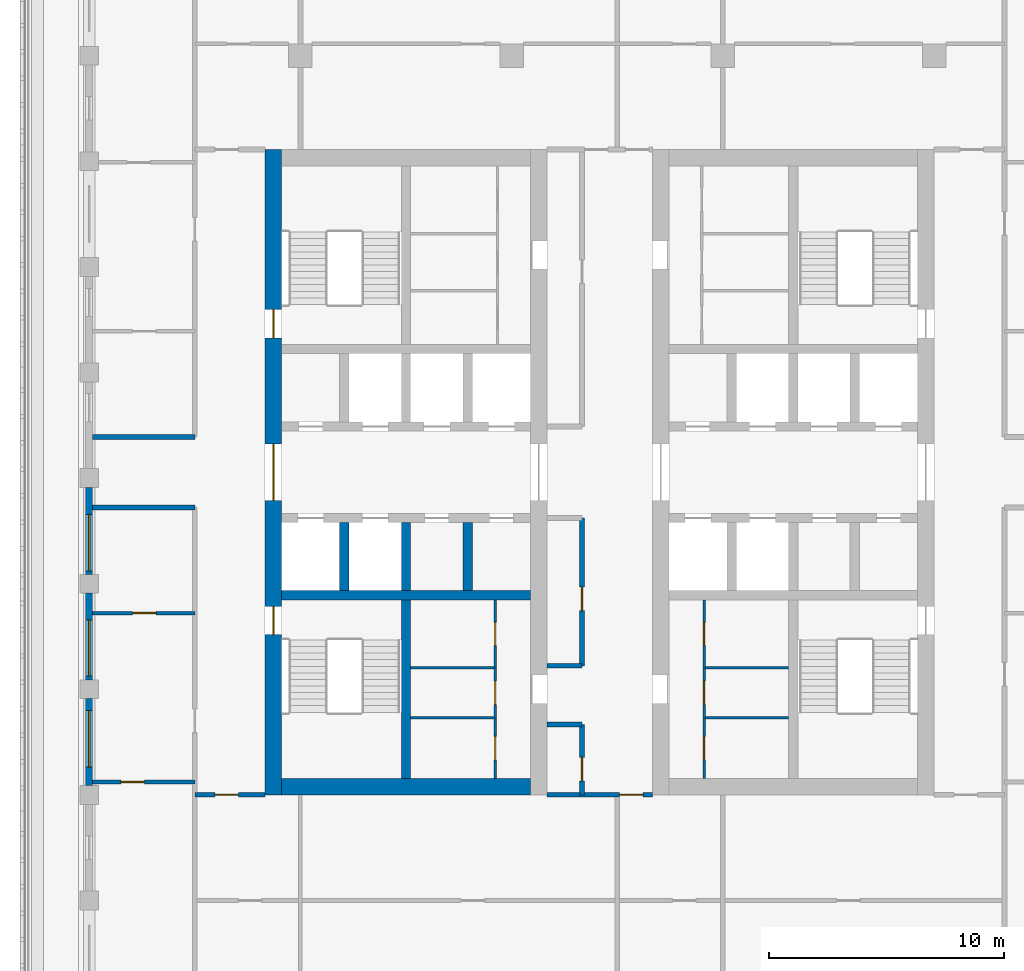
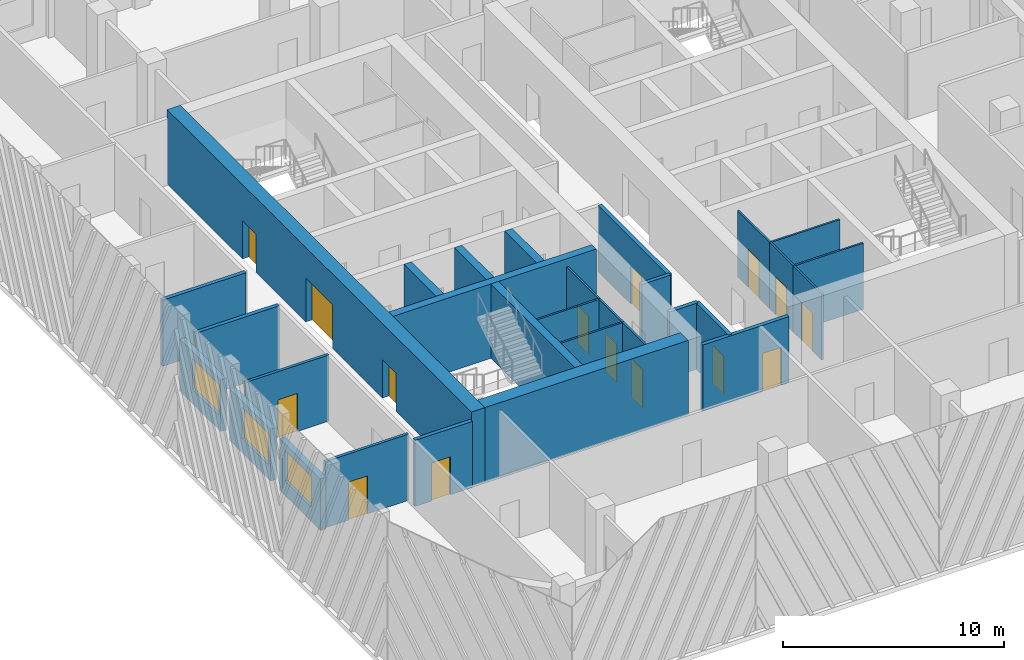
# One storey, part 3 of 17: 30 walls, 15 doors, 3 windows, 18 openings.
"""IFC4 building model written with IfcOpenShell, lengths in metres."""

import ifcopenshell
import ifcopenshell.guid

model = None  # the IFC model being written
_history = None  # IfcOwnerHistory: only IFC2X3 demands one
_inside = {}  # id of a spatial element -> (the spatial element, [elements in it])
_under = {}  # id of a project, library or spatial element -> (it, [spatial elements below it])
_declared = {}  # id of a project -> (the project, [libraries it declares])
_typed = {}  # id of a type object -> (the type object, [elements of that type])
_made_of = {}  # id of a material, layer set ... -> (it, [elements and type objects made of it])


def new_model(schema):
    """Start an empty IFC model of exactly this schema.

    Asked for "IFC4X3", IfcOpenShell would pick the latest addendum, in which some entities
    have other attributes; the version numbers below select the first issue.
    IFC2X3 requires an IfcOwnerHistory on every rooted entity: one is made here for all.
    """
    global model, _history
    if schema == "IFC4X3":
        model = ifcopenshell.file(schema_version=(4, 3, 0, 0))
    else:
        model = ifcopenshell.file(schema=schema)
    _inside.clear()
    _under.clear()
    _declared.clear()
    _typed.clear()
    _made_of.clear()
    _history = None
    if model.schema == "IFC2X3":
        org = make("IfcOrganization", Name="unknown")
        user = make(
            "IfcPersonAndOrganization",
            ThePerson=make("IfcPerson", FamilyName="unknown"),
            TheOrganization=org,
        )
        app = make(
            "IfcApplication",
            ApplicationDeveloper=org,
            Version="unknown",
            ApplicationFullName="unknown",
            ApplicationIdentifier="unknown",
        )
        _history = make(
            "IfcOwnerHistory",
            OwningUser=user,
            OwningApplication=app,
            ChangeAction="ADDED",
            CreationDate=0,
        )
    return model


def make(cls, **values):
    """One entity of the class cls with the attributes given. An attribute that is None is left unset."""
    return model.create_entity(
        cls, **{name: value for name, value in values.items() if value is not None}
    )


def rooted(cls, **values):
    """An entity with a GlobalId (a new one), such as an element, a storey or a relation."""
    return make(cls, GlobalId=ifcopenshell.guid.new(), OwnerHistory=_history, **values)


def si_unit(unit_type, name, prefix=None):
    """IfcSIUnit, for example si_unit("LENGTHUNIT", "METRE", prefix="MILLI")."""
    return make("IfcSIUnit", UnitType=unit_type, Prefix=prefix, Name=name)


def assignment(units):
    """IfcUnitAssignment: the units of a project."""
    return None if units is None else make("IfcUnitAssignment", Units=units)


def point(xyz):
    """IfcCartesianPoint."""
    return None if xyz is None else make("IfcCartesianPoint", Coordinates=xyz)


def direction(xyz):
    """IfcDirection."""
    return None if xyz is None else make("IfcDirection", DirectionRatios=xyz)


def frame(location, z_axis=None, x_axis=None):
    """IfcAxis2Placement3D, a coordinate frame: its origin and axes. An axis left out is left unset."""
    return make(
        "IfcAxis2Placement3D",
        Location=point(location),
        Axis=direction(z_axis),
        RefDirection=direction(x_axis),
    )


def frame_2d(location, x_axis=None):
    """IfcAxis2Placement2D, a coordinate frame in the plane: its origin and x axis."""
    return make(
        "IfcAxis2Placement2D", Location=point(location), RefDirection=direction(x_axis)
    )


def origin():
    """The frame at (0, 0, 0) with its axes left unset."""
    return frame((0.0, 0.0, 0.0))


def place(relative_to, where):
    """IfcLocalPlacement: puts the frame where relative to a parent placement (None: the world)."""
    return make(
        "IfcLocalPlacement", PlacementRelTo=relative_to, RelativePlacement=where
    )


def context(
    kind, dimensions, precision=None, world=None, true_north=None, identifier=None
):
    """IfcGeometricRepresentationContext, for example the 3D "Model" context."""
    return make(
        "IfcGeometricRepresentationContext",
        ContextIdentifier=identifier,
        ContextType=kind,
        CoordinateSpaceDimension=dimensions,
        Precision=precision,
        WorldCoordinateSystem=world,
        TrueNorth=true_north,
    )


def subcontext(parent, identifier, kind, view, scale=None):
    """IfcGeometricRepresentationSubContext, for example "Body" below "Model"."""
    return make(
        "IfcGeometricRepresentationSubContext",
        ContextIdentifier=identifier,
        ContextType=kind,
        ParentContext=parent,
        TargetScale=scale,
        TargetView=view,
    )


def project(units=None, contexts=None):
    """IfcProject with its units and contexts."""
    return rooted(
        "IfcProject",
        Name="project",
        RepresentationContexts=contexts,
        UnitsInContext=assignment(units),
    )


def spatial(cls, under=None, at=None, **own):
    """A site, building, storey or space (cls), placed at a placement, below another one or the project."""
    s = rooted(cls, ObjectPlacement=at, **own)
    if under is not None:
        _under.setdefault(under.id(), (under, []))[1].append(s)
    return s


def profile(cls, at=None, kind="AREA", **sizes):
    """A parametric profile (cls). Its sizes go by their IFC names, for example OverallWidth=200.0."""
    return make(cls, ProfileType=kind, Position=at, **sizes)


def rectangle(**sizes):
    """IfcRectangleProfileDef."""
    return profile("IfcRectangleProfileDef", **sizes)


def extrude(swept, where, along, depth):
    """IfcExtrudedAreaSolid: the profile swept, set in the frame where, extruded along a direction by depth."""
    return make(
        "IfcExtrudedAreaSolid",
        SweptArea=swept,
        Position=where,
        ExtrudedDirection=direction(along),
        Depth=depth,
    )


def shape(context_of_items, identifier, shape_type, items):
    """IfcShapeRepresentation: the items that make up one representation, for example the "Body"."""
    return make(
        "IfcShapeRepresentation",
        ContextOfItems=context_of_items,
        RepresentationIdentifier=identifier,
        RepresentationType=shape_type,
        Items=items,
    )


def material(Name=None, Category=None):
    """IfcMaterial."""
    return make("IfcMaterial", Name=Name, Category=Category)


def layer(
    of_material, thickness, ventilated=None, Name=None, Category=None, Priority=None
):
    """IfcMaterialLayer: one layer of a wall or slab, of a material (None: an air gap)."""
    return make(
        "IfcMaterialLayer",
        Material=of_material,
        LayerThickness=thickness,
        IsVentilated=ventilated,
        Name=Name,
        Category=Category,
        Priority=Priority,
    )


def layer_set(layers, Name=None):
    """IfcMaterialLayerSet."""
    return make("IfcMaterialLayerSet", MaterialLayers=layers, LayerSetName=Name)


def made_of(thing, what):
    """Note that an element or type object is made of a material, layer set ...; save() writes the relation."""
    if what is not None:
        _made_of.setdefault(what.id(), (what, []))[1].append(thing)
    return thing


def type_object(cls, material=None, **own):
    """A type object (cls), such as IfcWallType, which elements share."""
    return made_of(rooted(cls, **own), material)


def element(
    cls,
    number,
    at=None,
    inside=None,
    cuts=None,
    type_object=None,
    material=None,
    context=None,
    identifier="Body",
    shape_type=None,
    held_by="IfcProductDefinitionShape",
    body=None,
    shapes=None,
    **own,
):
    """One element of the class cls, such as IfcWall. Its Tag is "e" and its number.

    at: its placement. inside: the storey or other place that contains it. cuts: it is an
    opening in that element (IfcRelVoidsElement). A single representation is given by context,
    identifier, shape_type and body (its items); several are given by shapes. held_by: the class
    of the entity that holds the representations. save() writes the other relations.
    """
    e = rooted(cls, Tag="e%d" % number, ObjectPlacement=at, **own)
    if body is not None:
        shapes = [shape(context, identifier, shape_type, body)]
    if shapes is not None:
        e.Representation = make(held_by, Representations=shapes)
    if inside is not None:
        _inside.setdefault(inside.id(), (inside, []))[1].append(e)
    if cuts is not None:
        rooted(
            "IfcRelVoidsElement", RelatingBuildingElement=cuts, RelatedOpeningElement=e
        )
    if type_object is not None:
        _typed.setdefault(type_object.id(), (type_object, []))[1].append(e)
    return made_of(e, material)


def fill(opening, filler):
    """IfcRelFillsElement: the door or window that sits in an opening."""
    return rooted(
        "IfcRelFillsElement",
        RelatingOpeningElement=opening,
        RelatedBuildingElement=filler,
    )


def aggregate(whole, parts):
    """IfcRelAggregates: a whole, such as a stair, and the parts it consists of."""
    return rooted("IfcRelAggregates", RelatingObject=whole, RelatedObjects=parts)


def save(model, path):
    """Write the relations noted so far, then the file.

    IfcRelAggregates (storeys below a building ...), IfcRelContainedInSpatialStructure (elements
    in a storey), IfcRelDefinesByType, IfcRelAssociatesMaterial and IfcRelDeclares: one each for
    every whole, place, type object, material and project.
    """
    for whole, parts in _under.values():
        aggregate(whole, parts)
    for where, things in _inside.values():
        rooted(
            "IfcRelContainedInSpatialStructure",
            RelatedElements=things,
            RelatingStructure=where,
        )
    for kind, things in _typed.values():
        rooted("IfcRelDefinesByType", RelatedObjects=things, RelatingType=kind)
    for what, things in _made_of.values():
        rooted("IfcRelAssociatesMaterial", RelatedObjects=things, RelatingMaterial=what)
    for by, libraries in _declared.values():
        rooted("IfcRelDeclares", RelatingContext=by, RelatedDefinitions=libraries)
    model.write(path)


model = new_model("IFC4")

# Units and contexts
model_context = context("Model", 3, precision=1e-05, world=origin(), true_north=direction((0.0, 1.0)))
body_context = subcontext(model_context, "Body", "Model", "MODEL_VIEW")
ifc_project = project(units=[si_unit("LENGTHUNIT", "METRE"), si_unit("AREAUNIT", "SQUARE_METRE"), si_unit("VOLUMEUNIT", "CUBIC_METRE"), si_unit("PLANEANGLEUNIT", "RADIAN"), si_unit("MASSUNIT", "GRAM", prefix="KILO")], contexts=[model_context])

# Site, building, storey
site_placement = place(None, origin())
site = spatial("IfcSite", under=ifc_project, at=site_placement, CompositionType="ELEMENT")
building_placement = place(site_placement, origin())
building = spatial("IfcBuilding", under=site, at=building_placement, Name="Corbel Stack Research Tower", CompositionType="ELEMENT")
storey_placement = place(building_placement, frame((0.0, 0.0, 248.0)))
storey = spatial("IfcBuildingStorey", under=building, at=storey_placement, Name="L56", CompositionType="ELEMENT", Elevation=248.0)

# Walls
ifc_material_1 = material(Name="Concrete C60/75", Category="concrete")
ifc_layer_1 = layer(ifc_material_1, 0.39990234375)
ifc_layer_set_1 = layer_set([ifc_layer_1], Name="Concrete C60/75")
wall_type_1 = type_object("IfcWallType", Name="CW-400-60", PredefinedType="SHEAR", material=ifc_layer_set_1)
wall_1_placement = place(storey_placement, frame((-9.800048828125, -0.5, 0.0), z_axis=(0.0, 0.0, 1.0), x_axis=(1.0, 0.0, 0.0)))
element("IfcWall", 1, at=wall_1_placement, inside=storey, type_object=wall_type_1, Name="West core wall, south row back L56", PredefinedType="SHEAR", context=body_context, shape_type="SweptSolid", body=[
    extrude(rectangle(XDim=10.60009765625, YDim=0.39990234375, at=frame_2d((5.300048828125, 0.0))), origin(), (0.0, 0.0, 1.0), 4.10009765625),
])
for number, where, z_axis, x_axis, name in (
    (2, (-7.125, -0.300048828125, 0.0), (0.0, 0.0, 1.0), (0.0, 1.0, 0.0), "West core wall, south shaft 1 L56"),
    (3, (-4.5, -0.300048828125, 0.0), (0.0, 0.0, 1.0), (0.0, 1.0, 0.0), "West core wall, south shaft 2 L56"),
    (4, (-1.875, -0.300048828125, 0.0), (0.0, 0.0, 1.0), (0.0, 1.0, 0.0), "West core wall, south shaft 3 L56"),
):
    element("IfcWall", number, at=place(storey_placement, frame(where, z_axis=z_axis, x_axis=x_axis)), inside=storey, type_object=wall_type_1, Name=name, PredefinedType="SHEAR", context=body_context, shape_type="SweptSolid", body=[
        extrude(rectangle(XDim=2.900146484375, YDim=0.39990234375, at=frame_2d((1.4501953125, 0.0))), origin(), (0.0, 0.0, 1.0), 4.10009765625),
    ])
wall_2_placement = place(storey_placement, frame((-4.5, -8.300048828125, 0.0), z_axis=(0.0, 0.0, 1.0), x_axis=(0.0, 1.0, 0.0)))
element("IfcWall", 5, at=wall_2_placement, inside=storey, type_object=wall_type_1, Name="West core wall, south stair and WC L56", PredefinedType="SHEAR", context=body_context, shape_type="SweptSolid", body=[
    extrude(rectangle(XDim=7.60009765625, YDim=0.39990234375, at=frame_2d((3.800048828125, 0.0))), origin(), (0.0, 0.0, 1.0), 4.10009765625),
])

# Wall, openings, doors
ifc_material_2 = material(Name="Concrete C60/75", Category="concrete")
ifc_layer_2 = layer(ifc_material_2, 0.699951171875)
ifc_layer_set_2 = layer_set([ifc_layer_2], Name="Concrete C60/75")
wall_type_2 = type_object("IfcWallType", Name="CW-700-60", PredefinedType="SHEAR", material=ifc_layer_set_2)
wall_3_placement = place(storey_placement, frame((-10.14990234375, -9.0, 0.0), z_axis=(0.0, 0.0, 1.0), x_axis=(0.0, 1.0, 0.0)))
wall_3 = element("IfcWall", 6, at=wall_3_placement, inside=storey, type_object=wall_type_2, Name="West core wall, west face L56", PredefinedType="SHEAR", context=body_context, shape_type="SweptSolid", body=[
    extrude(rectangle(XDim=27.5, YDim=0.699951171875, at=frame_2d((13.75, 0.0))), origin(), (0.0, 0.0, 1.0), 4.10009765625),
])
opening_1_placement = place(wall_3_placement, frame((12.550048828125, 0.0, 0.0)))
opening_1 = element("IfcOpeningElement", 7, at=opening_1_placement, cuts=wall_3, Name="Opening CD-W-W", PredefinedType="OPENING", context=body_context, shape_type="SweptSolid", body=[
    extrude(rectangle(XDim=2.39990234375, YDim=2.39990234375, at=frame_2d((1.199951171875, 1.199951171875))), frame((0.0, 0.35986328125, 0.0), z_axis=(0.0, -1.0, 0.0), x_axis=(1.0, 0.0, 0.0)), (0.0, 0.0, 1.0), 0.719970703125),
])
opening_2_placement = place(wall_3_placement, frame((6.824951171875, 0.0, 0.0)))
opening_2 = element("IfcOpeningElement", 8, at=opening_2_placement, cuts=wall_3, Name="Opening SD-ST-W1", PredefinedType="OPENING", context=body_context, shape_type="SweptSolid", body=[
    extrude(rectangle(XDim=1.199951171875, YDim=2.10009765625, at=frame_2d((0.60009765625, 1.050048828125))), frame((0.0, 0.35986328125, 0.0), z_axis=(0.0, -1.0, 0.0), x_axis=(1.0, 0.0, 0.0)), (0.0, 0.0, 1.0), 0.719970703125),
])
opening_3_placement = place(wall_3_placement, frame((19.47509765625, 0.0, 0.0)))
opening_3 = element("IfcOpeningElement", 9, at=opening_3_placement, cuts=wall_3, Name="Opening SD-ST-W2", PredefinedType="OPENING", context=body_context, shape_type="SweptSolid", body=[
    extrude(rectangle(XDim=1.199951171875, YDim=2.10009765625, at=frame_2d((0.60009765625, 1.050048828125))), frame((0.0, 0.35986328125, 0.0), z_axis=(0.0, -1.0, 0.0), x_axis=(1.0, 0.0, 0.0)), (0.0, 0.0, 1.0), 0.719970703125),
])
ifc_material_3 = material(Name="Painted steel fire door", Category="steel")
door_type_1 = type_object("IfcDoorType", Name="Lobby door pair 2400 x 2400 FD30S", OperationType="DOUBLE_DOOR_DOUBLE_SWING", PredefinedType="DOOR", material=ifc_material_3)
door_1_placement = place(opening_1_placement, origin())
door_1 = element("IfcDoor", 10, at=door_1_placement, inside=storey, type_object=door_type_1, Name="Lift lobby door W core W", OperationType="DOUBLE_DOOR_DOUBLE_SWING", OverallHeight=2.39990234375, OverallWidth=2.39990234375, PredefinedType="DOOR", context=body_context, shape_type="SweptSolid", body=[
    extrude(rectangle(XDim=2.39990234375, YDim=2.39990234375, at=frame_2d((1.199951171875, 1.199951171875))), frame((0.0, 0.02490234375, 0.0), z_axis=(0.0, -1.0, 0.0), x_axis=(1.0, 0.0, 0.0)), (0.0, 0.0, 1.0), 0.050048828125),
])
fill(opening_1, door_1)
ifc_material_4 = material(Name="Painted steel fire door", Category="steel")
door_type_2 = type_object("IfcDoorType", Name="Stair door 1200 x 2100 FD90 left hand", OperationType="SINGLE_SWING_LEFT", PredefinedType="DOOR", material=ifc_material_4)
door_2_placement = place(opening_2_placement, origin())
door_2 = element("IfcDoor", 11, at=door_2_placement, inside=storey, type_object=door_type_2, Name="Stair door ST-W1", OperationType="SINGLE_SWING_LEFT", OverallHeight=2.10009765625, OverallWidth=1.199951171875, PredefinedType="DOOR", context=body_context, shape_type="SweptSolid", body=[
    extrude(rectangle(XDim=1.199951171875, YDim=2.10009765625, at=frame_2d((0.60009765625, 1.050048828125))), frame((0.0, 0.02490234375, 0.0), z_axis=(0.0, -1.0, 0.0), x_axis=(1.0, 0.0, 0.0)), (0.0, 0.0, 1.0), 0.050048828125),
])
fill(opening_2, door_2)
door_3_placement = place(opening_3_placement, origin())
door_3 = element("IfcDoor", 12, at=door_3_placement, inside=storey, type_object=door_type_2, Name="Stair door ST-W2", OperationType="SINGLE_SWING_LEFT", OverallHeight=2.10009765625, OverallWidth=1.199951171875, PredefinedType="DOOR", context=body_context, shape_type="SweptSolid", body=[
    extrude(rectangle(XDim=1.199951171875, YDim=2.10009765625, at=frame_2d((0.60009765625, 1.050048828125))), frame((0.0, 0.02490234375, 0.0), z_axis=(0.0, -1.0, 0.0), x_axis=(1.0, 0.0, 0.0)), (0.0, 0.0, 1.0), 0.050048828125),
])
fill(opening_3, door_3)

# Wall
wall_4_placement = place(storey_placement, frame((-9.800048828125, -8.64990234375, 0.0), z_axis=(0.0, 0.0, 1.0), x_axis=(1.0, 0.0, 0.0)))
element("IfcWall", 13, at=wall_4_placement, inside=storey, type_object=wall_type_2, Name="West core wall, south end L56", PredefinedType="SHEAR", context=body_context, shape_type="SweptSolid", body=[
    extrude(rectangle(XDim=10.60009765625, YDim=0.699951171875, at=frame_2d((5.300048828125, 0.0))), origin(), (0.0, 0.0, 1.0), 4.10009765625),
])

# Wall, opening, door
ifc_material_5 = material(Name="Gypsum board")
ifc_layer_3 = layer(ifc_material_5, 0.10009765625)
ifc_layer_set_3 = layer_set([ifc_layer_3], Name="Gypsum board")
wall_type_3 = type_object("IfcWallType", Name="Core partition 100", PredefinedType="PARTITIONING", material=ifc_layer_set_3)
wall_5_placement = place(storey_placement, frame((-0.699951171875, -8.300048828125, 0.0), z_axis=(0.0, 0.0, 1.0), x_axis=(0.0, 1.0, 0.0)))
wall_5 = element("IfcWall", 14, at=wall_5_placement, inside=storey, type_object=wall_type_3, Name="Core partition W", PredefinedType="PARTITIONING", context=body_context, shape_type="SweptSolid", body=[
    extrude(rectangle(XDim=2.583984375, YDim=0.10009765625, at=frame_2d((1.2919921875, 0.0))), origin(), (0.0, 0.0, 1.0), 3.64990234375),
])
opening_4_placement = place(wall_5_placement, frame((0.7919921875, 0.0, 0.0)))
opening_4 = element("IfcOpeningElement", 15, at=opening_4_placement, cuts=wall_5, Name="Opening CR-W12-W2-1000", PredefinedType="OPENING", context=body_context, shape_type="SweptSolid", body=[
    extrude(rectangle(XDim=1.0, YDim=2.10009765625, at=frame_2d((0.5, 1.050048828125))), frame((0.0, 0.06005859375, 0.0), z_axis=(0.0, -1.0, 0.0), x_axis=(1.0, 0.0, 0.0)), (0.0, 0.0, 1.0), 0.1201171875),
])
ifc_material_6 = material(Name="Painted timber door", Category="wood")
door_type_3 = type_object("IfcDoorType", Name="WC door 1000 x 2100 right hand", OperationType="SINGLE_SWING_RIGHT", PredefinedType="DOOR", material=ifc_material_6)
door_4_placement = place(opening_4_placement, origin())
door_4 = element("IfcDoor", 16, at=door_4_placement, inside=storey, type_object=door_type_3, Name="Men's WC door W core", OperationType="SINGLE_SWING_RIGHT", OverallHeight=2.10009765625, OverallWidth=1.0, PredefinedType="DOOR", context=body_context, shape_type="SweptSolid", body=[
    extrude(rectangle(XDim=1.0, YDim=2.10009765625, at=frame_2d((0.5, 1.050048828125))), frame((0.0, 0.02490234375, 0.0), z_axis=(0.0, -1.0, 0.0), x_axis=(1.0, 0.0, 0.0)), (0.0, 0.0, 1.0), 0.050048828125),
])
fill(opening_4, door_4)

wall_6_placement = place(storey_placement, frame((-0.699951171875, -5.716064453125, 0.0), z_axis=(0.0, 0.0, 1.0), x_axis=(0.0, 1.0, 0.0)))
wall_6 = element("IfcWall", 17, at=wall_6_placement, inside=storey, type_object=wall_type_3, Name="Core partition W", PredefinedType="PARTITIONING", context=body_context, shape_type="SweptSolid", body=[
    extrude(rectangle(XDim=2.128173828125, YDim=0.10009765625, at=frame_2d((1.06396484375, 0.0))), origin(), (0.0, 0.0, 1.0), 3.64990234375),
])
opening_5_placement = place(wall_6_placement, frame((0.56396484375, 0.0, 0.0)))
opening_5 = element("IfcOpeningElement", 18, at=opening_5_placement, cuts=wall_6, Name="Opening CR-W12-W3-1000", PredefinedType="OPENING", context=body_context, shape_type="SweptSolid", body=[
    extrude(rectangle(XDim=1.0, YDim=2.10009765625, at=frame_2d((0.5, 1.050048828125))), frame((0.0, 0.06005859375, 0.0), z_axis=(0.0, -1.0, 0.0), x_axis=(1.0, 0.0, 0.0)), (0.0, 0.0, 1.0), 0.1201171875),
])
ifc_material_7 = material(Name="Painted timber door", Category="wood")
door_type_4 = type_object("IfcDoorType", Name="WC door 1000 x 2100 left hand", OperationType="SINGLE_SWING_LEFT", PredefinedType="DOOR", material=ifc_material_7)
door_5_placement = place(opening_5_placement, origin())
door_5 = element("IfcDoor", 19, at=door_5_placement, inside=storey, type_object=door_type_4, Name="Accessible WC door W core", OperationType="SINGLE_SWING_LEFT", OverallHeight=2.10009765625, OverallWidth=1.0, PredefinedType="DOOR", context=body_context, shape_type="SweptSolid", body=[
    extrude(rectangle(XDim=1.0, YDim=2.10009765625, at=frame_2d((0.5, 1.050048828125))), frame((0.0, 0.02490234375, 0.0), z_axis=(0.0, -1.0, 0.0), x_axis=(1.0, 0.0, 0.0)), (0.0, 0.0, 1.0), 0.050048828125),
])
fill(opening_5, door_5)

wall_7_placement = place(storey_placement, frame((-0.699951171875, -3.587890625, 0.0), z_axis=(0.0, 0.0, 1.0), x_axis=(0.0, 1.0, 0.0)))
wall_7 = element("IfcWall", 20, at=wall_7_placement, inside=storey, type_object=wall_type_3, Name="Core partition W", PredefinedType="PARTITIONING", context=body_context, shape_type="SweptSolid", body=[
    extrude(rectangle(XDim=2.887939453125, YDim=0.10009765625, at=frame_2d((1.44384765625, 0.0))), origin(), (0.0, 0.0, 1.0), 3.64990234375),
])
opening_6_placement = place(wall_7_placement, frame((0.944091796875, 0.0, 0.0)))
opening_6 = element("IfcOpeningElement", 21, at=opening_6_placement, cuts=wall_7, Name="Opening CR-W12-W4-1000", PredefinedType="OPENING", context=body_context, shape_type="SweptSolid", body=[
    extrude(rectangle(XDim=1.0, YDim=2.10009765625, at=frame_2d((0.5, 1.050048828125))), frame((0.0, 0.06005859375, 0.0), z_axis=(0.0, -1.0, 0.0), x_axis=(1.0, 0.0, 0.0)), (0.0, 0.0, 1.0), 0.1201171875),
])
door_6_placement = place(opening_6_placement, origin())
door_6 = element("IfcDoor", 22, at=door_6_placement, inside=storey, type_object=door_type_3, Name="Women's WC door W core", OperationType="SINGLE_SWING_RIGHT", OverallHeight=2.10009765625, OverallWidth=1.0, PredefinedType="DOOR", context=body_context, shape_type="SweptSolid", body=[
    extrude(rectangle(XDim=1.0, YDim=2.10009765625, at=frame_2d((0.5, 1.050048828125))), frame((0.0, 0.02490234375, 0.0), z_axis=(0.0, -1.0, 0.0), x_axis=(1.0, 0.0, 0.0)), (0.0, 0.0, 1.0), 0.050048828125),
])
fill(opening_6, door_6)

# Walls
for number, where, z_axis, x_axis, name in (
    (23, (-4.300048828125, -5.716064453125, 0.0), (0.0, 0.0, 1.0), (1.0, 0.0, 0.0), "Core partition W"),
    (24, (-4.300048828125, -3.587890625, 0.0), (0.0, 0.0, 1.0), (1.0, 0.0, 0.0), "Core partition W"),
):
    element("IfcWall", number, at=place(storey_placement, frame(where, z_axis=z_axis, x_axis=x_axis)), inside=storey, type_object=wall_type_3, Name=name, PredefinedType="PARTITIONING", context=body_context, shape_type="SweptSolid", body=[
        extrude(rectangle(XDim=3.60009765625, YDim=0.10009765625, at=frame_2d((1.800048828125, 0.0))), origin(), (0.0, 0.0, 1.0), 3.64990234375),
    ])

# Wall, opening, door
wall_8_placement = place(storey_placement, frame((8.199951171875, -8.300048828125, 0.0), z_axis=(0.0, 0.0, 1.0), x_axis=(0.0, 1.0, 0.0)))
wall_8 = element("IfcWall", 25, at=wall_8_placement, inside=storey, type_object=wall_type_3, Name="Core partition E", PredefinedType="PARTITIONING", context=body_context, shape_type="SweptSolid", body=[
    extrude(rectangle(XDim=2.583984375, YDim=0.10009765625, at=frame_2d((1.2919921875, 0.0))), origin(), (0.0, 0.0, 1.0), 3.64990234375),
])
opening_7_placement = place(wall_8_placement, frame((0.7919921875, 0.0, 0.0)))
opening_7 = element("IfcOpeningElement", 26, at=opening_7_placement, cuts=wall_8, Name="Opening CR-E12-W2-1000", PredefinedType="OPENING", context=body_context, shape_type="SweptSolid", body=[
    extrude(rectangle(XDim=1.0, YDim=2.10009765625, at=frame_2d((0.5, 1.050048828125))), frame((0.0, 0.06005859375, 0.0), z_axis=(0.0, -1.0, 0.0), x_axis=(1.0, 0.0, 0.0)), (0.0, 0.0, 1.0), 0.1201171875),
])
door_7_placement = place(opening_7_placement, origin())
door_7 = element("IfcDoor", 27, at=door_7_placement, inside=storey, type_object=door_type_4, Name="Men's WC door E core", OperationType="SINGLE_SWING_LEFT", OverallHeight=2.10009765625, OverallWidth=1.0, PredefinedType="DOOR", context=body_context, shape_type="SweptSolid", body=[
    extrude(rectangle(XDim=1.0, YDim=2.10009765625, at=frame_2d((0.5, 1.050048828125))), frame((0.0, 0.02490234375, 0.0), z_axis=(0.0, -1.0, 0.0), x_axis=(1.0, 0.0, 0.0)), (0.0, 0.0, 1.0), 0.050048828125),
])
fill(opening_7, door_7)

wall_9_placement = place(storey_placement, frame((8.199951171875, -5.716064453125, 0.0), z_axis=(0.0, 0.0, 1.0), x_axis=(0.0, 1.0, 0.0)))
wall_9 = element("IfcWall", 28, at=wall_9_placement, inside=storey, type_object=wall_type_3, Name="Core partition E", PredefinedType="PARTITIONING", context=body_context, shape_type="SweptSolid", body=[
    extrude(rectangle(XDim=2.128173828125, YDim=0.10009765625, at=frame_2d((1.06396484375, 0.0))), origin(), (0.0, 0.0, 1.0), 3.64990234375),
])
opening_8_placement = place(wall_9_placement, frame((0.56396484375, 0.0, 0.0)))
opening_8 = element("IfcOpeningElement", 29, at=opening_8_placement, cuts=wall_9, Name="Opening CR-E12-W3-1000", PredefinedType="OPENING", context=body_context, shape_type="SweptSolid", body=[
    extrude(rectangle(XDim=1.0, YDim=2.10009765625, at=frame_2d((0.5, 1.050048828125))), frame((0.0, 0.06005859375, 0.0), z_axis=(0.0, -1.0, 0.0), x_axis=(1.0, 0.0, 0.0)), (0.0, 0.0, 1.0), 0.1201171875),
])
door_8_placement = place(opening_8_placement, origin())
door_8 = element("IfcDoor", 30, at=door_8_placement, inside=storey, type_object=door_type_3, Name="Accessible WC door E core", OperationType="SINGLE_SWING_RIGHT", OverallHeight=2.10009765625, OverallWidth=1.0, PredefinedType="DOOR", context=body_context, shape_type="SweptSolid", body=[
    extrude(rectangle(XDim=1.0, YDim=2.10009765625, at=frame_2d((0.5, 1.050048828125))), frame((0.0, 0.02490234375, 0.0), z_axis=(0.0, -1.0, 0.0), x_axis=(1.0, 0.0, 0.0)), (0.0, 0.0, 1.0), 0.050048828125),
])
fill(opening_8, door_8)

wall_10_placement = place(storey_placement, frame((8.199951171875, -3.587890625, 0.0), z_axis=(0.0, 0.0, 1.0), x_axis=(0.0, 1.0, 0.0)))
wall_10 = element("IfcWall", 31, at=wall_10_placement, inside=storey, type_object=wall_type_3, Name="Core partition E", PredefinedType="PARTITIONING", context=body_context, shape_type="SweptSolid", body=[
    extrude(rectangle(XDim=2.887939453125, YDim=0.10009765625, at=frame_2d((1.44384765625, 0.0))), origin(), (0.0, 0.0, 1.0), 3.64990234375),
])
opening_9_placement = place(wall_10_placement, frame((0.944091796875, 0.0, 0.0)))
opening_9 = element("IfcOpeningElement", 32, at=opening_9_placement, cuts=wall_10, Name="Opening CR-E12-W4-1000", PredefinedType="OPENING", context=body_context, shape_type="SweptSolid", body=[
    extrude(rectangle(XDim=1.0, YDim=2.10009765625, at=frame_2d((0.5, 1.050048828125))), frame((0.0, 0.06005859375, 0.0), z_axis=(0.0, -1.0, 0.0), x_axis=(1.0, 0.0, 0.0)), (0.0, 0.0, 1.0), 0.1201171875),
])
door_9_placement = place(opening_9_placement, origin())
door_9 = element("IfcDoor", 33, at=door_9_placement, inside=storey, type_object=door_type_4, Name="Women's WC door E core", OperationType="SINGLE_SWING_LEFT", OverallHeight=2.10009765625, OverallWidth=1.0, PredefinedType="DOOR", context=body_context, shape_type="SweptSolid", body=[
    extrude(rectangle(XDim=1.0, YDim=2.10009765625, at=frame_2d((0.5, 1.050048828125))), frame((0.0, 0.02490234375, 0.0), z_axis=(0.0, -1.0, 0.0), x_axis=(1.0, 0.0, 0.0)), (0.0, 0.0, 1.0), 0.050048828125),
])
fill(opening_9, door_9)

# Walls
for number, where, z_axis, x_axis, name in (
    (34, (8.199951171875, -5.716064453125, 0.0), (0.0, 0.0, 1.0), (1.0, 0.0, 0.0), "Core partition E"),
    (35, (8.199951171875, -3.587890625, 0.0), (0.0, 0.0, 1.0), (1.0, 0.0, 0.0), "Core partition E"),
):
    element("IfcWall", number, at=place(storey_placement, frame(where, z_axis=z_axis, x_axis=x_axis)), inside=storey, type_object=wall_type_3, Name=name, PredefinedType="PARTITIONING", context=body_context, shape_type="SweptSolid", body=[
        extrude(rectangle(XDim=3.60009765625, YDim=0.10009765625, at=frame_2d((1.800048828125, 0.0))), origin(), (0.0, 0.0, 1.0), 3.64990234375),
    ])

# Wall, opening, door
ifc_material_8 = material(Name="Fire-rated gypsum board partition on steel studs", Category="steel")
ifc_layer_4 = layer(ifc_material_8, 0.199951171875)
ifc_layer_set_4 = layer_set([ifc_layer_4], Name="Fire-rated gypsum board partition on steel studs")
wall_type_4 = type_object("IfcWallType", Name="Fire-rated partition 200 EI 60", PredefinedType="PARTITIONING", material=ifc_layer_set_4)
wall_11_placement = place(storey_placement, frame((3.0, -9.0, 0.0), z_axis=(0.0, 0.0, 1.0), x_axis=(0.0, 1.0, 0.0)))
wall_11 = element("IfcWall", 36, at=wall_11_placement, inside=storey, type_object=wall_type_4, Name="Partition L56-008", PredefinedType="PARTITIONING", context=body_context, shape_type="SweptSolid", body=[
    extrude(rectangle(XDim=3.0, YDim=0.199951171875, at=frame_2d((1.5, 0.0))), origin(), (0.0, 0.0, 1.0), 3.64990234375),
])
opening_10_placement = place(wall_11_placement, frame((0.60009765625, 0.0, 0.0)))
opening_10 = element("IfcOpeningElement", 37, at=opening_10_placement, cuts=wall_11, Name="Opening B7V1-015", PredefinedType="OPENING", context=body_context, shape_type="SweptSolid", body=[
    extrude(rectangle(XDim=1.0, YDim=2.10009765625, at=frame_2d((0.5, 1.050048828125))), frame((0.0, 0.10986328125, 0.0), z_axis=(0.0, -1.0, 0.0), x_axis=(1.0, 0.0, 0.0)), (0.0, 0.0, 1.0), 0.219970703125),
])
ifc_material_9 = material(Name="Painted steel fire door", Category="steel")
door_type_5 = type_object("IfcDoorType", Name="Fire door FD30S 1000 x 2100", OperationType="NOTDEFINED", PredefinedType="DOOR", material=ifc_material_9)
door_10_placement = place(opening_10_placement, origin())
door_10 = element("IfcDoor", 38, at=door_10_placement, inside=storey, type_object=door_type_5, Name="Door B7V1-015", OperationType="SINGLE_SWING_LEFT", OverallHeight=2.10009765625, OverallWidth=1.0, PredefinedType="DOOR", context=body_context, shape_type="SweptSolid", body=[
    extrude(rectangle(XDim=1.0, YDim=2.10009765625, at=frame_2d((0.5, 1.050048828125))), frame((0.0, 0.02490234375, 0.0), z_axis=(0.0, -1.0, 0.0), x_axis=(1.0, 0.0, 0.0)), (0.0, 0.0, 1.0), 0.050048828125),
])
fill(opening_10, door_10)

wall_12_placement = place(storey_placement, frame((3.0, -3.5, 0.0), z_axis=(0.0, 0.0, 1.0), x_axis=(0.0, 1.0, 0.0)))
wall_12 = element("IfcWall", 39, at=wall_12_placement, inside=storey, type_object=wall_type_4, Name="Partition L56-009", PredefinedType="PARTITIONING", context=body_context, shape_type="SweptSolid", body=[
    extrude(rectangle(XDim=6.300048828125, YDim=0.199951171875, at=frame_2d((3.14990234375, 0.0))), origin(), (0.0, 0.0, 1.0), 3.64990234375),
])
opening_11_placement = place(wall_12_placement, frame((2.35009765625, 0.0, 0.0)))
opening_11 = element("IfcOpeningElement", 40, at=opening_11_placement, cuts=wall_12, Name="Opening B7V1-016", PredefinedType="OPENING", context=body_context, shape_type="SweptSolid", body=[
    extrude(rectangle(XDim=1.0, YDim=2.10009765625, at=frame_2d((0.5, 1.050048828125))), frame((0.0, 0.10986328125, 0.0), z_axis=(0.0, -1.0, 0.0), x_axis=(1.0, 0.0, 0.0)), (0.0, 0.0, 1.0), 0.219970703125),
])
door_11_placement = place(opening_11_placement, origin())
door_11 = element("IfcDoor", 41, at=door_11_placement, inside=storey, type_object=door_type_5, Name="Door B7V1-016", OperationType="SINGLE_SWING_LEFT", OverallHeight=2.10009765625, OverallWidth=1.0, PredefinedType="DOOR", context=body_context, shape_type="SweptSolid", body=[
    extrude(rectangle(XDim=1.0, YDim=2.10009765625, at=frame_2d((0.5, 1.050048828125))), frame((0.0, 0.02490234375, 0.0), z_axis=(0.0, -1.0, 0.0), x_axis=(1.0, 0.0, 0.0)), (0.0, 0.0, 1.0), 0.050048828125),
])
fill(opening_11, door_11)

wall_13_placement = place(storey_placement, frame((-10.5, -9.0, 0.0), z_axis=(0.0, 0.0, 1.0), x_axis=(-1.0, 0.0, 0.0)))
wall_13 = element("IfcWall", 42, at=wall_13_placement, inside=storey, type_object=wall_type_4, Name="Partition L56-021", PredefinedType="PARTITIONING", context=body_context, shape_type="SweptSolid", body=[
    extrude(rectangle(XDim=3.0, YDim=0.199951171875, at=frame_2d((1.5, 0.0))), origin(), (0.0, 0.0, 1.0), 3.64990234375),
])
opening_12_placement = place(wall_13_placement, frame((1.14990234375, 0.0, 0.0)))
opening_12 = element("IfcOpeningElement", 43, at=opening_12_placement, cuts=wall_13, Name="Opening B7V1-008", PredefinedType="OPENING", context=body_context, shape_type="SweptSolid", body=[
    extrude(rectangle(XDim=1.0, YDim=2.10009765625, at=frame_2d((0.5, 1.050048828125))), frame((0.0, 0.10986328125, 0.0), z_axis=(0.0, -1.0, 0.0), x_axis=(1.0, 0.0, 0.0)), (0.0, 0.0, 1.0), 0.219970703125),
])
door_12_placement = place(opening_12_placement, origin())
door_12 = element("IfcDoor", 44, at=door_12_placement, inside=storey, type_object=door_type_5, Name="Door B7V1-008", OperationType="SINGLE_SWING_RIGHT", OverallHeight=2.10009765625, OverallWidth=1.0, PredefinedType="DOOR", context=body_context, shape_type="SweptSolid", body=[
    extrude(rectangle(XDim=1.0, YDim=2.10009765625, at=frame_2d((0.5, 1.050048828125))), frame((0.0, 0.02490234375, 0.0), z_axis=(0.0, -1.0, 0.0), x_axis=(1.0, 0.0, 0.0)), (0.0, 0.0, 1.0), 0.050048828125),
])
fill(opening_12, door_12)

wall_14_placement = place(storey_placement, frame((6.0, -9.0, 0.0), z_axis=(0.0, 0.0, 1.0), x_axis=(-1.0, 0.0, 0.0)))
wall_14 = element("IfcWall", 45, at=wall_14_placement, inside=storey, type_object=wall_type_4, Name="Partition L56-022", PredefinedType="PARTITIONING", context=body_context, shape_type="SweptSolid", body=[
    extrude(rectangle(XDim=4.5, YDim=0.199951171875, at=frame_2d((2.25, 0.0))), origin(), (0.0, 0.0, 1.0), 3.64990234375),
])
opening_13_placement = place(wall_14_placement, frame((0.39990234375, 0.0, 0.0)))
opening_13 = element("IfcOpeningElement", 46, at=opening_13_placement, cuts=wall_14, Name="Opening B7V1-009", PredefinedType="OPENING", context=body_context, shape_type="SweptSolid", body=[
    extrude(rectangle(XDim=1.0, YDim=2.10009765625, at=frame_2d((0.5, 1.050048828125))), frame((0.0, 0.10986328125, 0.0), z_axis=(0.0, -1.0, 0.0), x_axis=(1.0, 0.0, 0.0)), (0.0, 0.0, 1.0), 0.219970703125),
])
door_13_placement = place(opening_13_placement, origin())
door_13 = element("IfcDoor", 47, at=door_13_placement, inside=storey, type_object=door_type_5, Name="Door B7V1-009", OperationType="SINGLE_SWING_LEFT", OverallHeight=2.10009765625, OverallWidth=1.0, PredefinedType="DOOR", context=body_context, shape_type="SweptSolid", body=[
    extrude(rectangle(XDim=1.0, YDim=2.10009765625, at=frame_2d((0.5, 1.050048828125))), frame((0.0, 0.02490234375, 0.0), z_axis=(0.0, -1.0, 0.0), x_axis=(1.0, 0.0, 0.0)), (0.0, 0.0, 1.0), 0.050048828125),
])
fill(opening_13, door_13)

# Walls
for number, where, z_axis, x_axis, name in (
    (48, (1.5, -6.0, 0.0), (0.0, 0.0, 1.0), (1.0, 0.0, 0.0), "Partition L56-027"),
    (49, (1.5, -3.5, 0.0), (0.0, 0.0, 1.0), (1.0, 0.0, 0.0), "Partition L56-028"),
):
    element("IfcWall", number, at=place(storey_placement, frame(where, z_axis=z_axis, x_axis=x_axis)), inside=storey, type_object=wall_type_4, Name=name, PredefinedType="PARTITIONING", context=body_context, shape_type="SweptSolid", body=[
        extrude(rectangle(XDim=1.5, YDim=0.199951171875, at=frame_2d((0.75, 0.0))), origin(), (0.0, 0.0, 1.0), 3.64990234375),
    ])
for number, where, z_axis, x_axis, name in (
    (50, (-17.85009765625, 3.25, 0.0), (0.0, 0.0, 1.0), (1.0, 0.0, 0.0), "Partition L56-032"),
    (51, (-17.85009765625, 6.25, 0.0), (0.0, 0.0, 1.0), (1.0, 0.0, 0.0), "Partition L56-034"),
):
    element("IfcWall", number, at=place(storey_placement, frame(where, z_axis=z_axis, x_axis=x_axis)), inside=storey, type_object=wall_type_4, Name=name, PredefinedType="PARTITIONING", context=body_context, shape_type="SweptSolid", body=[
        extrude(rectangle(XDim=4.35009765625, YDim=0.199951171875, at=frame_2d((2.175048828125, 0.0))), origin(), (0.0, 0.0, 1.0), 3.64990234375),
    ])

# Wall, opening, door
ifc_material_10 = material(Name="Gypsum board partition on steel studs", Category="steel")
ifc_layer_5 = layer(ifc_material_10, 0.14990234375)
ifc_layer_set_5 = layer_set([ifc_layer_5], Name="Gypsum board partition on steel studs")
wall_type_5 = type_object("IfcWallType", Name="Partition 150", PredefinedType="PARTITIONING", material=ifc_layer_set_5)
wall_15_placement = place(storey_placement, frame((-13.5, -8.449951171875, 0.0), z_axis=(0.0, 0.0, 1.0), x_axis=(-1.0, 0.0, 0.0)))
wall_15 = element("IfcWall", 52, at=wall_15_placement, inside=storey, type_object=wall_type_5, Name="Partition L56-024", PredefinedType="PARTITIONING", context=body_context, shape_type="SweptSolid", body=[
    extrude(rectangle(XDim=4.35009765625, YDim=0.14990234375, at=frame_2d((2.175048828125, 0.0))), origin(), (0.0, 0.0, 1.0), 3.64990234375),
])
opening_14_placement = place(wall_15_placement, frame((2.14990234375, 0.0, 0.0)))
opening_14 = element("IfcOpeningElement", 53, at=opening_14_placement, cuts=wall_15, Name="Opening B7V1-011", PredefinedType="OPENING", context=body_context, shape_type="SweptSolid", body=[
    extrude(rectangle(XDim=1.0, YDim=2.10009765625, at=frame_2d((0.5, 1.050048828125))), frame((0.0, 0.0849609375, 0.0), z_axis=(0.0, -1.0, 0.0), x_axis=(1.0, 0.0, 0.0)), (0.0, 0.0, 1.0), 0.169921875),
])
ifc_material_11 = material(Name="Painted timber door", Category="wood")
door_type_6 = type_object("IfcDoorType", Name="Single door 1000 x 2100", OperationType="NOTDEFINED", PredefinedType="DOOR", material=ifc_material_11)
door_14_placement = place(opening_14_placement, origin())
door_14 = element("IfcDoor", 54, at=door_14_placement, inside=storey, type_object=door_type_6, Name="Door B7V1-011", OperationType="SINGLE_SWING_RIGHT", OverallHeight=2.10009765625, OverallWidth=1.0, PredefinedType="DOOR", context=body_context, shape_type="SweptSolid", body=[
    extrude(rectangle(XDim=1.0, YDim=2.10009765625, at=frame_2d((0.5, 1.050048828125))), frame((0.0, 0.02490234375, 0.0), z_axis=(0.0, -1.0, 0.0), x_axis=(1.0, 0.0, 0.0)), (0.0, 0.0, 1.0), 0.050048828125),
])
fill(opening_14, door_14)

wall_16_placement = place(storey_placement, frame((-17.85009765625, -1.25, 0.0), z_axis=(0.0, 0.0, 1.0), x_axis=(1.0, 0.0, 0.0)))
wall_16 = element("IfcWall", 55, at=wall_16_placement, inside=storey, type_object=wall_type_5, Name="Partition L56-029", PredefinedType="PARTITIONING", context=body_context, shape_type="SweptSolid", body=[
    extrude(rectangle(XDim=4.35009765625, YDim=0.14990234375, at=frame_2d((2.175048828125, 0.0))), origin(), (0.0, 0.0, 1.0), 3.64990234375),
])
opening_15_placement = place(wall_16_placement, frame((1.699951171875, 0.0, 0.0)))
opening_15 = element("IfcOpeningElement", 56, at=opening_15_placement, cuts=wall_16, Name="Opening B7V1-013", PredefinedType="OPENING", context=body_context, shape_type="SweptSolid", body=[
    extrude(rectangle(XDim=1.0, YDim=2.10009765625, at=frame_2d((0.5, 1.050048828125))), frame((0.0, 0.0849609375, 0.0), z_axis=(0.0, -1.0, 0.0), x_axis=(1.0, 0.0, 0.0)), (0.0, 0.0, 1.0), 0.169921875),
])
door_15_placement = place(opening_15_placement, origin())
door_15 = element("IfcDoor", 57, at=door_15_placement, inside=storey, type_object=door_type_6, Name="Door B7V1-013", OperationType="SINGLE_SWING_LEFT", OverallHeight=2.10009765625, OverallWidth=1.0, PredefinedType="DOOR", context=body_context, shape_type="SweptSolid", body=[
    extrude(rectangle(XDim=1.0, YDim=2.10009765625, at=frame_2d((0.5, 1.050048828125))), frame((0.0, 0.02490234375, 0.0), z_axis=(0.0, -1.0, 0.0), x_axis=(1.0, 0.0, 0.0)), (0.0, 0.0, 1.0), 0.050048828125),
])
fill(opening_15, door_15)

# Wall, opening, window
ifc_material_12 = material(Name="Concrete C45/55", Category="concrete")
ifc_layer_6 = layer(ifc_material_12, 0.300048828125)
ifc_layer_set_6 = layer_set([ifc_layer_6], Name="Concrete C45/55")
wall_type_6 = type_object("IfcWallType", Name="Terracotta-faced concrete wall 300", PredefinedType="SOLIDWALL", material=ifc_layer_set_6)
wall_17_placement = place(storey_placement, frame((-18.0, 0.39990234375, 0.0), z_axis=(0.0, 0.0, 1.0), x_axis=(0.0, 1.0, 0.0)))
wall_17 = element("IfcWall", 58, at=wall_17_placement, inside=storey, type_object=wall_type_6, Name="Facade wall L56 W06", PredefinedType="SOLIDWALL", context=body_context, shape_type="SweptSolid", body=[
    extrude(rectangle(XDim=3.7001953125, YDim=0.300048828125, at=frame_2d((1.85009765625, 0.0))), origin(), (0.0, 0.0, 1.0), 2.85009765625),
])
opening_16_placement = place(wall_17_placement, frame((0.14990234375, 0.0, 0.800048828125)))
opening_16 = element("IfcOpeningElement", 59, at=opening_16_placement, cuts=wall_17, Name="Opening W1", PredefinedType="OPENING", context=body_context, shape_type="SweptSolid", body=[
    extrude(rectangle(XDim=2.39990234375, YDim=1.699951171875, at=frame_2d((1.199951171875, 0.85009765625))), frame((0.0, 0.159912109375, 0.0), z_axis=(0.0, -1.0, 0.0), x_axis=(1.0, 0.0, 0.0)), (0.0, 0.0, 1.0), 0.320068359375),
])
ifc_material_13 = material(Name="Aluminium frame, clear double glazing", Category="aluminium")
window_type = type_object("IfcWindowType", Name="Window W1 2400 x 1700", PartitioningType="SINGLE_PANEL", PredefinedType="WINDOW", material=ifc_material_13)
window_1_placement = place(opening_16_placement, origin())
window_1 = element("IfcWindow", 60, at=window_1_placement, inside=storey, type_object=window_type, Name="Window W1 L56 W06", OverallHeight=1.699951171875, OverallWidth=2.39990234375, PartitioningType="SINGLE_PANEL", PredefinedType="WINDOW", context=body_context, shape_type="SweptSolid", body=[
    extrude(rectangle(XDim=2.39990234375, YDim=1.699951171875, at=frame_2d((1.199951171875, 0.85009765625))), frame((0.0, 0.030029296875, 0.0), z_axis=(0.0, -1.0, 0.0), x_axis=(1.0, 0.0, 0.0)), (0.0, 0.0, 1.0), 0.06005859375),
])
fill(opening_16, window_1)

wall_18_placement = place(storey_placement, frame((-18.0, -4.10009765625, 0.0), z_axis=(0.0, 0.0, 1.0), x_axis=(0.0, 1.0, 0.0)))
wall_18 = element("IfcWall", 61, at=wall_18_placement, inside=storey, type_object=wall_type_6, Name="Facade wall L56 W07", PredefinedType="SOLIDWALL", context=body_context, shape_type="SweptSolid", body=[
    extrude(rectangle(XDim=3.7001953125, YDim=0.300048828125, at=frame_2d((1.85009765625, 0.0))), origin(), (0.0, 0.0, 1.0), 2.85009765625),
])
opening_17_placement = place(wall_18_placement, frame((0.16259765625, 0.0, 0.800048828125)))
opening_17 = element("IfcOpeningElement", 62, at=opening_17_placement, cuts=wall_18, Name="Opening W1", PredefinedType="OPENING", context=body_context, shape_type="SweptSolid", body=[
    extrude(rectangle(XDim=2.39990234375, YDim=1.699951171875, at=frame_2d((1.199951171875, 0.85009765625))), frame((0.0, 0.159912109375, 0.0), z_axis=(0.0, -1.0, 0.0), x_axis=(1.0, 0.0, 0.0)), (0.0, 0.0, 1.0), 0.320068359375),
])
window_2_placement = place(opening_17_placement, origin())
window_2 = element("IfcWindow", 63, at=window_2_placement, inside=storey, type_object=window_type, Name="Window W1 L56 W07", OverallHeight=1.699951171875, OverallWidth=2.39990234375, PartitioningType="SINGLE_PANEL", PredefinedType="WINDOW", context=body_context, shape_type="SweptSolid", body=[
    extrude(rectangle(XDim=2.39990234375, YDim=1.699951171875, at=frame_2d((1.199951171875, 0.85009765625))), frame((0.0, 0.030029296875, 0.0), z_axis=(0.0, -1.0, 0.0), x_axis=(1.0, 0.0, 0.0)), (0.0, 0.0, 1.0), 0.06005859375),
])
fill(opening_17, window_2)

wall_19_placement = place(storey_placement, frame((-18.0, -8.60009765625, 0.0), z_axis=(0.0, 0.0, 1.0), x_axis=(0.0, 1.0, 0.0)))
wall_19 = element("IfcWall", 64, at=wall_19_placement, inside=storey, type_object=wall_type_6, Name="Facade wall L56 W08", PredefinedType="SOLIDWALL", context=body_context, shape_type="SweptSolid", body=[
    extrude(rectangle(XDim=3.7001953125, YDim=0.300048828125, at=frame_2d((1.85009765625, 0.0))), origin(), (0.0, 0.0, 1.0), 2.85009765625),
])
opening_18_placement = place(wall_19_placement, frame((0.78759765625, 0.0, 0.800048828125)))
opening_18 = element("IfcOpeningElement", 65, at=opening_18_placement, cuts=wall_19, Name="Opening W1", PredefinedType="OPENING", context=body_context, shape_type="SweptSolid", body=[
    extrude(rectangle(XDim=2.39990234375, YDim=1.699951171875, at=frame_2d((1.199951171875, 0.85009765625))), frame((0.0, 0.159912109375, 0.0), z_axis=(0.0, -1.0, 0.0), x_axis=(1.0, 0.0, 0.0)), (0.0, 0.0, 1.0), 0.320068359375),
])
window_3_placement = place(opening_18_placement, origin())
window_3 = element("IfcWindow", 66, at=window_3_placement, inside=storey, type_object=window_type, Name="Window W1 L56 W08", OverallHeight=1.699951171875, OverallWidth=2.39990234375, PartitioningType="SINGLE_PANEL", PredefinedType="WINDOW", context=body_context, shape_type="SweptSolid", body=[
    extrude(rectangle(XDim=2.39990234375, YDim=1.699951171875, at=frame_2d((1.199951171875, 0.85009765625))), frame((0.0, 0.030029296875, 0.0), z_axis=(0.0, -1.0, 0.0), x_axis=(1.0, 0.0, 0.0)), (0.0, 0.0, 1.0), 0.06005859375),
])
fill(opening_18, window_3)

save(model, "model.ifc")
